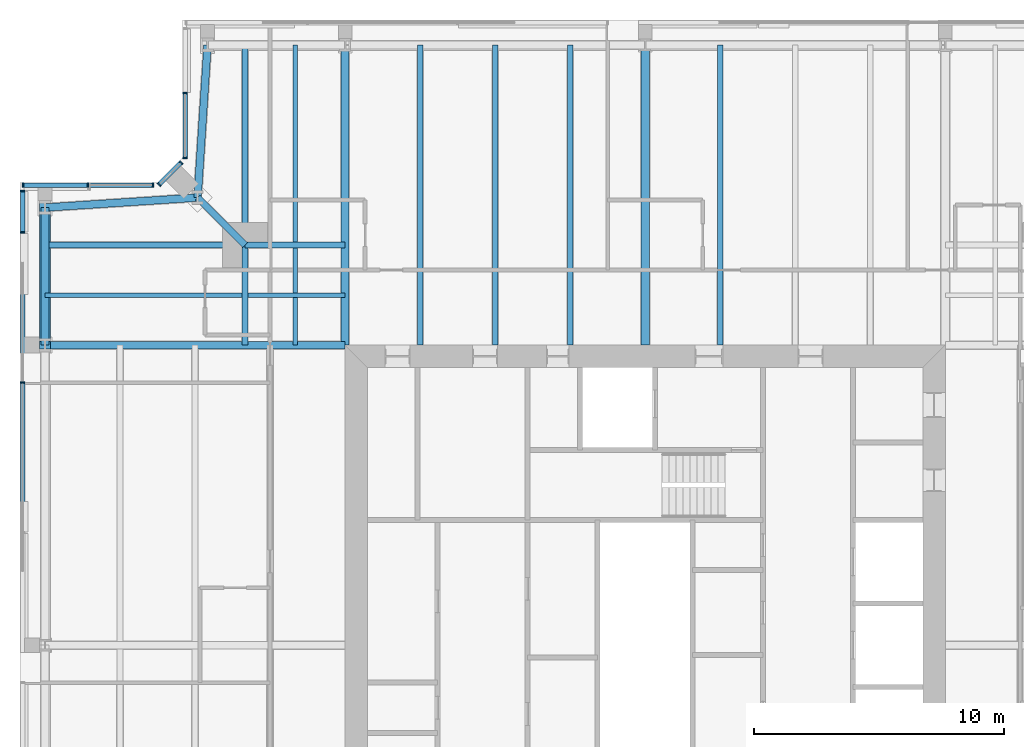
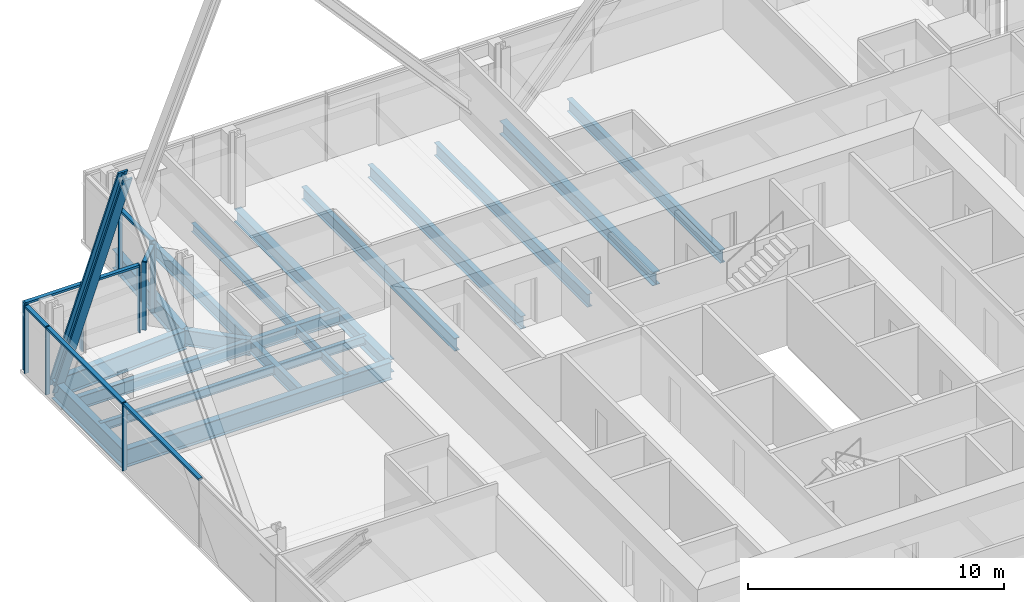
# One storey, part 7 of 19: 20 beams, 18 members, 4 elements without a shape of their own.
"""IFC4 building model written with IfcOpenShell, lengths in metres."""

from ifc_helpers import new_model, si_unit, direction, frame, origin, origin_2d, place, context, subcontext, project, spatial, rectangle, i_section, extrude, material, material_profile, profile_set, type_object, element, aggregate, save


model = new_model("IFC4")

# Units and contexts
model_context = context("Model", 3, precision=1e-05, world=origin(), true_north=direction((0.0, 1.0)))
body_context = subcontext(model_context, "Body", "Model", "MODEL_VIEW")
ifc_project = project(units=[si_unit("LENGTHUNIT", "METRE"), si_unit("AREAUNIT", "SQUARE_METRE"), si_unit("VOLUMEUNIT", "CUBIC_METRE"), si_unit("PLANEANGLEUNIT", "RADIAN"), si_unit("MASSUNIT", "GRAM", prefix="KILO")], contexts=[model_context])

# Site, building, storey
site_placement = place(None, origin())
site = spatial("IfcSite", under=ifc_project, at=site_placement, CompositionType="ELEMENT")
building_placement = place(site_placement, origin())
building = spatial("IfcBuilding", under=site, at=building_placement, Name="Fenwick Lantern Interchange", CompositionType="ELEMENT")
storey_placement = place(building_placement, frame((0.0, 0.0, 283.199951171875)))
storey = spatial("IfcBuildingStorey", under=building, at=storey_placement, Name="L68", CompositionType="ELEMENT", Elevation=283.199951171875)

# Beams
ifc_material_1 = material(Name="Steel ASTM A992 Grade 50", Category="steel")
ifc_material_profile_1 = material_profile(ifc_material_1, i_section(OverallWidth=0.3046875, OverallDepth=0.911865234375, WebThickness=0.015869140625, FlangeThickness=0.02392578125, at=origin_2d()), Name="W36X150")
ifc_profile_set_1 = profile_set([ifc_material_profile_1], Name="Steel ASTM A992 Grade 50")
beam_type_1 = type_object("IfcBeamType", Name="EDGE BEAM W36X150", PredefinedType="SPANDREL", material=ifc_profile_set_1)
for number, where, z_axis, x_axis, name in (
    (1, (7.5, 49.0, -0.60595703125), (-0.065416293237, -0.997858060337, 0.0), (0.997858060337, -0.065416293237, 0.0), "L68/FR/N/EBR1"),
    (2, (7.10009765625, 42.89990234375, -0.60595703125), (-0.997858060337, -0.065416293237, 0.0), (0.065416293237, -0.997858060337, 0.0), "L68/FR/N/EBR2"),
):
    element("IfcBeam", number, at=place(storey_placement, frame(where, z_axis=z_axis, x_axis=x_axis)), inside=storey, type_object=beam_type_1, Name=name, PredefinedType="SPANDREL", context=body_context, shape_type="SweptSolid", body=[
        extrude(i_section(OverallWidth=0.3046875, OverallDepth=0.911865234375, WebThickness=0.015869140625, FlangeThickness=0.02392578125, at=origin_2d()), origin(), (0.0, 0.0, 1.0), 6.11328125),
    ])
beam_1_placement = place(storey_placement, frame((1.0, 42.5, -0.60595703125), z_axis=(0.0, -1.0, 0.0), x_axis=(1.0, 0.0, 0.0)))
element("IfcBeam", 3, at=beam_1_placement, inside=storey, type_object=beam_type_1, Name="L68/FR/W/EB1", PredefinedType="SPANDREL", context=body_context, shape_type="SweptSolid", body=[
    extrude(i_section(OverallWidth=0.3046875, OverallDepth=0.911865234375, WebThickness=0.015869140625, FlangeThickness=0.02392578125, at=origin_2d()), origin(), (0.0, 0.0, 1.0), 5.5),
])

# Member
ifc_material_profile_2 = material_profile(ifc_material_1, i_section(OverallWidth=0.424072265625, OverallDepth=0.47509765625, WebThickness=0.0478515625, FlangeThickness=0.0771484375, at=origin_2d()), Name="W14X426")
ifc_profile_set_2 = profile_set([ifc_material_profile_2], Name="Steel ASTM A992 Grade 50")
member_type_1 = type_object("IfcMemberType", Name="FACADE BRACE W14X426", PredefinedType="BRACE", material=ifc_profile_set_2)
member_1_placement = place(storey_placement, frame((1.0, 42.5, -0.60595703125), z_axis=(0.0, -0.377648302155, 0.925949113008), x_axis=(1.0, 0.0, 0.0)))
element("IfcMember", 4, at=member_1_placement, inside=storey, type_object=member_type_1, Name="L68/FB/W/AE", PredefinedType="BRACE", context=body_context, shape_type="SweptSolid", body=[
    extrude(i_section(OverallWidth=0.424072265625, OverallDepth=0.47509765625, WebThickness=0.0478515625, FlangeThickness=0.0771484375, at=origin_2d()), origin(), (0.0, 0.0, 1.0), 14.563720703125),
])

# Beams
ifc_material_profile_3 = material_profile(ifc_material_1, i_section(OverallWidth=0.22900390625, OverallDepth=0.612060546875, WebThickness=0.011962890625, FlangeThickness=0.01953125, at=origin_2d()), Name="W24X84")
ifc_profile_set_3 = profile_set([ifc_material_profile_3], Name="Steel ASTM A992 Grade 50")
beam_type_2 = type_object("IfcBeamType", Name="FLOOR BEAM W24X84", PredefinedType="BEAM", material=ifc_profile_set_3)
for number, where, z_axis, x_axis, name in (
    (5, (28.0, 49.0, -0.4560546875), (0.0, -1.0, 0.0), (1.0, 0.0, 0.0), "L68/FR/N/R04"),
    (6, (22.0, 49.0, -0.4560546875), (0.0, -1.0, 0.0), (1.0, 0.0, 0.0), "L68/FR/N/R06"),
    (7, (19.0, 49.0, -0.4560546875), (0.0, -1.0, 0.0), (1.0, 0.0, 0.0), "L68/FR/N/R07"),
    (8, (16.0, 49.0, -0.4560546875), (0.0, -1.0, 0.0), (1.0, 0.0, 0.0), "L68/FR/N/R08"),
):
    element("IfcBeam", number, at=place(storey_placement, frame(where, z_axis=z_axis, x_axis=x_axis)), inside=storey, type_object=beam_type_2, Name=name, PredefinedType="BEAM", context=body_context, shape_type="SweptSolid", body=[
        extrude(i_section(OverallWidth=0.22900390625, OverallDepth=0.612060546875, WebThickness=0.011962890625, FlangeThickness=0.01953125, at=origin_2d()), origin(), (0.0, 0.0, 1.0), 12.0),
    ])

# Curtain wall, members
ifc_material_2 = material(Name="Aluminium curtain wall frame", Category="aluminium")
curtain_wall_type = type_object("IfcCurtainWallType", Name="HOTEL CURTAIN WALL", PredefinedType="USERDEFINED", material=ifc_material_2)
curtain_wall_1_placement = place(storey_placement, origin())
curtain_wall_1 = element("IfcCurtainWall", 9, at=curtain_wall_1_placement, inside=storey, type_object=curtain_wall_type, Name="Hotel curtain wall 10", ObjectType="HOTEL CURTAIN WALL", PredefinedType="USERDEFINED")
ifc_material_3 = material(Name="Aluminium extrusion", Category="aluminium")
ifc_material_profile_4 = material_profile(ifc_material_3, rectangle(XDim=0.179931640625, YDim=0.06005859375, at=origin_2d()), Name="HOTEL CURTAIN WALL MULLION 60 X 180")
ifc_profile_set_4 = profile_set([ifc_material_profile_4], Name="Aluminium extrusion")
member_type_2 = type_object("IfcMemberType", Name="HOTEL CURTAIN WALL MULLION 60 X 180", PredefinedType="MULLION", material=ifc_profile_set_4)
member_2_placement = place(storey_placement, frame((6.60009765625, 47.079345703125, 0.0), z_axis=(0.0, 0.0, 1.0), x_axis=(1.0, 0.0, 0.0)))
member_2 = element("IfcMember", 10, at=member_2_placement, type_object=member_type_2, Name="L68/CW/10/M01", PredefinedType="MULLION", context=body_context, shape_type="SweptSolid", body=[
    extrude(rectangle(XDim=0.179931640625, YDim=0.06005859375, at=origin_2d()), origin(), (0.0, 0.0, 1.0), 3.25),
])
member_3_placement = place(storey_placement, frame((6.60009765625, 44.488525390625, 0.0), z_axis=(0.0, 0.0, 1.0), x_axis=(1.0, 0.0, 0.0)))
member_3 = element("IfcMember", 11, at=member_3_placement, type_object=member_type_2, Name="L68/CW/10/M02", PredefinedType="MULLION", context=body_context, shape_type="SweptSolid", body=[
    extrude(rectangle(XDim=0.179931640625, YDim=0.06005859375, at=origin_2d()), origin(), (0.0, 0.0, 1.0), 3.25),
])

curtain_wall_2_placement = place(storey_placement, origin())
curtain_wall_2 = element("IfcCurtainWall", 12, at=curtain_wall_2_placement, inside=storey, type_object=curtain_wall_type, Name="Hotel curtain wall 11", ObjectType="HOTEL CURTAIN WALL", PredefinedType="USERDEFINED")
member_4_placement = place(storey_placement, frame((6.437255859375, 44.2958984375, 0.0), z_axis=(0.0, 0.0, 1.0), x_axis=(0.707106781187, -0.707106781187, 0.0)))
member_4 = element("IfcMember", 13, at=member_4_placement, type_object=member_type_2, Name="L68/CW/11/M00", PredefinedType="MULLION", context=body_context, shape_type="SweptSolid", body=[
    extrude(rectangle(XDim=0.179931640625, YDim=0.06005859375, at=origin_2d()), origin(), (0.0, 0.0, 1.0), 3.25),
])
member_5_placement = place(storey_placement, frame((5.562744140625, 43.421142578125, 0.0), z_axis=(0.0, 0.0, 1.0), x_axis=(0.707106781187, -0.707106781187, 0.0)))
member_5 = element("IfcMember", 14, at=member_5_placement, type_object=member_type_2, Name="L68/CW/11/M01", PredefinedType="MULLION", context=body_context, shape_type="SweptSolid", body=[
    extrude(rectangle(XDim=0.179931640625, YDim=0.06005859375, at=origin_2d()), origin(), (0.0, 0.0, 1.0), 3.25),
])

curtain_wall_3_placement = place(storey_placement, origin())
curtain_wall_3 = element("IfcCurtainWall", 15, at=curtain_wall_3_placement, inside=storey, type_object=curtain_wall_type, Name="Hotel curtain wall 12", ObjectType="HOTEL CURTAIN WALL", PredefinedType="USERDEFINED")
member_6_placement = place(storey_placement, frame((5.3115234375, 43.39990234375, 0.0), z_axis=(0.0, 0.0, 1.0), x_axis=(0.0, -1.0, 0.0)))
member_6 = element("IfcMember", 16, at=member_6_placement, type_object=member_type_2, Name="L68/CW/12/M00", PredefinedType="MULLION", context=body_context, shape_type="SweptSolid", body=[
    extrude(rectangle(XDim=0.179931640625, YDim=0.06005859375, at=origin_2d()), origin(), (0.0, 0.0, 1.0), 3.25),
])
member_7_placement = place(storey_placement, frame((2.720703125, 43.39990234375, 0.0), z_axis=(0.0, 0.0, 1.0), x_axis=(0.0, -1.0, 0.0)))
member_7 = element("IfcMember", 17, at=member_7_placement, type_object=member_type_2, Name="L68/CW/12/M01", PredefinedType="MULLION", context=body_context, shape_type="SweptSolid", body=[
    extrude(rectangle(XDim=0.179931640625, YDim=0.06005859375, at=origin_2d()), origin(), (0.0, 0.0, 1.0), 3.25),
])
member_8_placement = place(storey_placement, frame((0.1298828125, 43.39990234375, 0.0), z_axis=(0.0, 0.0, 1.0), x_axis=(0.0, -1.0, 0.0)))
member_8 = element("IfcMember", 18, at=member_8_placement, type_object=member_type_2, Name="L68/CW/12/M02", PredefinedType="MULLION", context=body_context, shape_type="SweptSolid", body=[
    extrude(rectangle(XDim=0.179931640625, YDim=0.06005859375, at=origin_2d()), origin(), (0.0, 0.0, 1.0), 3.25),
])

curtain_wall_4_placement = place(storey_placement, origin())
curtain_wall_4 = element("IfcCurtainWall", 19, at=curtain_wall_4_placement, inside=storey, type_object=curtain_wall_type, Name="Hotel curtain wall 13", ObjectType="HOTEL CURTAIN WALL", PredefinedType="USERDEFINED")
member_9_placement = place(storey_placement, frame((0.10009765625, 43.169921875, 0.0), z_axis=(0.0, 0.0, 1.0), x_axis=(1.0, 0.0, 0.0)))
member_9 = element("IfcMember", 20, at=member_9_placement, type_object=member_type_2, Name="L68/CW/13/M00", PredefinedType="MULLION", context=body_context, shape_type="SweptSolid", body=[
    extrude(rectangle(XDim=0.179931640625, YDim=0.06005859375, at=origin_2d()), origin(), (0.0, 0.0, 1.0), 3.25),
])
member_10_placement = place(storey_placement, frame((0.10009765625, 41.5, 0.0), z_axis=(0.0, 0.0, 1.0), x_axis=(1.0, 0.0, 0.0)))
member_10 = element("IfcMember", 21, at=member_10_placement, type_object=member_type_2, Name="L68/CW/13/M01", PredefinedType="MULLION", context=body_context, shape_type="SweptSolid", body=[
    extrude(rectangle(XDim=0.179931640625, YDim=0.06005859375, at=origin_2d()), origin(), (0.0, 0.0, 1.0), 3.25),
])
member_11_placement = place(storey_placement, frame((0.10009765625, 35.5, 0.0), z_axis=(0.0, 0.0, 1.0), x_axis=(1.0, 0.0, 0.0)))
member_11 = element("IfcMember", 22, at=member_11_placement, type_object=member_type_2, Name="L68/CW/13/M02", PredefinedType="MULLION", context=body_context, shape_type="SweptSolid", body=[
    extrude(rectangle(XDim=0.179931640625, YDim=0.06005859375, at=origin_2d()), origin(), (0.0, 0.0, 1.0), 3.25),
])

# Member
ifc_material_profile_5 = material_profile(ifc_material_3, rectangle(XDim=0.179931640625, YDim=0.10009765625, at=origin_2d()), Name="HOTEL CURTAIN WALL TRANSOM 100 X 180")
ifc_profile_set_5 = profile_set([ifc_material_profile_5], Name="Aluminium extrusion")
member_type_3 = type_object("IfcMemberType", Name="HOTEL CURTAIN WALL TRANSOM 100 X 180", PredefinedType="MULLION", material=ifc_profile_set_5)
member_12_placement = place(storey_placement, frame((6.60009765625, 47.04931640625, 3.199951171875), z_axis=(0.0, -1.0, 0.0), x_axis=(1.0, 0.0, 0.0)))
member_12 = element("IfcMember", 23, at=member_12_placement, type_object=member_type_3, Name="L68/CW/10/T01", PredefinedType="MULLION", context=body_context, shape_type="SweptSolid", body=[
    extrude(rectangle(XDim=0.179931640625, YDim=0.10009765625, at=origin_2d()), origin(), (0.0, 0.0, 1.0), 2.53076171875),
])

aggregate(curtain_wall_1, [member_2, member_3, member_12])

member_13_placement = place(storey_placement, frame((6.416259765625, 44.274658203125, 3.199951171875), z_axis=(-0.707210470133, -0.707003077033, 0.0), x_axis=(0.707003077033, -0.707210470133, 0.0)))
member_13 = element("IfcMember", 24, at=member_13_placement, type_object=member_type_3, Name="L68/CW/11/T00", PredefinedType="MULLION", context=body_context, shape_type="SweptSolid", body=[
    extrude(rectangle(XDim=0.179931640625, YDim=0.10009765625, at=origin_2d()), origin(), (0.0, 0.0, 1.0), 1.17724609375),
])

aggregate(curtain_wall_2, [member_4, member_5, member_13])

member_14_placement = place(storey_placement, frame((5.281494140625, 43.39990234375, 3.199951171875), z_axis=(-1.0, 0.0, 0.0), x_axis=(0.0, -1.0, 0.0)))
member_14 = element("IfcMember", 25, at=member_14_placement, type_object=member_type_3, Name="L68/CW/12/T00", PredefinedType="MULLION", context=body_context, shape_type="SweptSolid", body=[
    extrude(rectangle(XDim=0.179931640625, YDim=0.10009765625, at=origin_2d()), origin(), (0.0, 0.0, 1.0), 2.53076171875),
])

member_15_placement = place(storey_placement, frame((2.690673828125, 43.39990234375, 3.199951171875), z_axis=(-1.0, 0.0, 0.0), x_axis=(0.0, -1.0, 0.0)))
member_15 = element("IfcMember", 26, at=member_15_placement, type_object=member_type_3, Name="L68/CW/12/T01", PredefinedType="MULLION", context=body_context, shape_type="SweptSolid", body=[
    extrude(rectangle(XDim=0.179931640625, YDim=0.10009765625, at=origin_2d()), origin(), (0.0, 0.0, 1.0), 2.53076171875),
])

aggregate(curtain_wall_3, [member_6, member_7, member_8, member_14, member_15])

member_16_placement = place(storey_placement, frame((0.10009765625, 43.139892578125, 3.199951171875), z_axis=(0.0, -1.0, 0.0), x_axis=(1.0, 0.0, 0.0)))
member_16 = element("IfcMember", 27, at=member_16_placement, type_object=member_type_3, Name="L68/CW/13/T00", PredefinedType="MULLION", context=body_context, shape_type="SweptSolid", body=[
    extrude(rectangle(XDim=0.179931640625, YDim=0.10009765625, at=origin_2d()), origin(), (0.0, 0.0, 1.0), 1.60986328125),
])

member_17_placement = place(storey_placement, frame((0.10009765625, 41.469970703125, 3.199951171875), z_axis=(0.0, -1.0, 0.0), x_axis=(1.0, 0.0, 0.0)))
member_17 = element("IfcMember", 28, at=member_17_placement, type_object=member_type_3, Name="L68/CW/13/T01", PredefinedType="MULLION", context=body_context, shape_type="SweptSolid", body=[
    extrude(rectangle(XDim=0.179931640625, YDim=0.10009765625, at=origin_2d()), origin(), (0.0, 0.0, 1.0), 5.93994140625),
])

member_18_placement = place(storey_placement, frame((0.10009765625, 35.469970703125, 3.199951171875), z_axis=(0.0, -1.0, 0.0), x_axis=(1.0, 0.0, 0.0)))
member_18 = element("IfcMember", 29, at=member_18_placement, type_object=member_type_3, Name="L68/CW/13/T02", PredefinedType="MULLION", context=body_context, shape_type="SweptSolid", body=[
    extrude(rectangle(XDim=0.179931640625, YDim=0.10009765625, at=origin_2d()), origin(), (0.0, 0.0, 1.0), 5.93994140625),
])

aggregate(curtain_wall_4, [member_9, member_10, member_11, member_16, member_17, member_18])

# Beams
ifc_material_profile_6 = material_profile(ifc_material_1, i_section(OverallWidth=0.177734375, OverallDepth=0.406494140625, WebThickness=0.0078125, FlangeThickness=0.012939453125, at=origin_2d()), Name="W16X40")
ifc_profile_set_6 = profile_set([ifc_material_profile_6], Name="Steel ASTM A992 Grade 50")
beam_type_3 = type_object("IfcBeamType", Name="INFILL BEAM W16X40", PredefinedType="JOIST", material=ifc_profile_set_6)
beam_2_placement = place(storey_placement, frame((1.0, 39.0, -0.353271484375), z_axis=(1.0, 0.0, 0.0), x_axis=(0.0, 1.0, 0.0)))
element("IfcBeam", 30, at=beam_2_placement, inside=storey, type_object=beam_type_3, Name="L68/FR/W/J1", PredefinedType="JOIST", context=body_context, shape_type="SweptSolid", body=[
    extrude(i_section(OverallWidth=0.177734375, OverallDepth=0.406494140625, WebThickness=0.0078125, FlangeThickness=0.012939453125, at=origin_2d()), origin(), (0.0, 0.0, 1.0), 7.885498046875),
])
beam_3_placement = place(storey_placement, frame((9.114501953125, 39.0, -0.353271484375), z_axis=(1.0, 0.0, 0.0), x_axis=(0.0, 1.0, 0.0)))
element("IfcBeam", 31, at=beam_3_placement, inside=storey, type_object=beam_type_3, Name="L68/FR/W/J2", PredefinedType="JOIST", context=body_context, shape_type="SweptSolid", body=[
    extrude(i_section(OverallWidth=0.177734375, OverallDepth=0.406494140625, WebThickness=0.0078125, FlangeThickness=0.012939453125, at=origin_2d()), origin(), (0.0, 0.0, 1.0), 3.885498046875),
])
beam_4_placement = place(storey_placement, frame((11.0, 49.0, -0.353271484375), z_axis=(0.0, -1.0, 0.0), x_axis=(1.0, 0.0, 0.0)))
element("IfcBeam", 32, at=beam_4_placement, inside=storey, type_object=beam_type_3, Name="L68/FR/W/J3", PredefinedType="JOIST", context=body_context, shape_type="SweptSolid", body=[
    extrude(i_section(OverallWidth=0.177734375, OverallDepth=0.406494140625, WebThickness=0.0078125, FlangeThickness=0.012939453125, at=origin_2d()), origin(), (0.0, 0.0, 1.0), 7.885498046875),
])
beam_5_placement = place(storey_placement, frame((11.0, 40.885498046875, -0.353271484375), z_axis=(0.0, -1.0, 0.0), x_axis=(1.0, 0.0, 0.0)))
element("IfcBeam", 33, at=beam_5_placement, inside=storey, type_object=beam_type_3, Name="L68/FR/W/J4", PredefinedType="JOIST", context=body_context, shape_type="SweptSolid", body=[
    extrude(i_section(OverallWidth=0.177734375, OverallDepth=0.406494140625, WebThickness=0.0078125, FlangeThickness=0.012939453125, at=origin_2d()), origin(), (0.0, 0.0, 1.0), 1.796630859375),
])
beam_6_placement = place(storey_placement, frame((11.0, 38.9111328125, -0.353271484375), z_axis=(0.0, -1.0, 0.0), x_axis=(1.0, 0.0, 0.0)))
element("IfcBeam", 34, at=beam_6_placement, inside=storey, type_object=beam_type_3, Name="L68/FR/W/J5", PredefinedType="JOIST", context=body_context, shape_type="SweptSolid", body=[
    extrude(i_section(OverallWidth=0.177734375, OverallDepth=0.406494140625, WebThickness=0.0078125, FlangeThickness=0.012939453125, at=origin_2d()), origin(), (0.0, 0.0, 1.0), 1.9111328125),
])
ifc_material_profile_7 = material_profile(ifc_material_1, i_section(OverallWidth=0.22900390625, OverallDepth=0.612060546875, WebThickness=0.011962890625, FlangeThickness=0.01953125, at=origin_2d()), Name="W24X84")
ifc_profile_set_7 = profile_set([ifc_material_profile_7], Name="Steel ASTM A992 Grade 50")
beam_type_4 = type_object("IfcBeamType", Name="MEGA COLUMN BEAM W24X84", PredefinedType="BEAM", material=ifc_profile_set_7)
for number, where, z_axis, x_axis, name in (
    (35, (9.0, 41.0, -0.4560546875), (-1.0, 0.0, 0.0), (0.0, -1.0, 0.0), "L68/FR/W/MB1"),
    (36, (9.0, 41.0, -0.4560546875), (0.0, 1.0, 0.0), (-1.0, 0.0, 0.0), "L68/FR/W/MB2"),
):
    element("IfcBeam", number, at=place(storey_placement, frame(where, z_axis=z_axis, x_axis=x_axis)), inside=storey, type_object=beam_type_4, Name=name, PredefinedType="BEAM", context=body_context, shape_type="SweptSolid", body=[
        extrude(i_section(OverallWidth=0.22900390625, OverallDepth=0.612060546875, WebThickness=0.011962890625, FlangeThickness=0.01953125, at=origin_2d()), origin(), (0.0, 0.0, 1.0), 8.0),
    ])
for number, where, z_axis, x_axis, name in (
    (37, (9.0, 41.0, -0.4560546875), (0.0, -1.0, 0.0), (1.0, 0.0, 0.0), "L68/FR/W/MB3"),
    (38, (9.0, 41.0, -0.4560546875), (1.0, 0.0, 0.0), (0.0, 1.0, 0.0), "L68/FR/W/MB4"),
):
    element("IfcBeam", number, at=place(storey_placement, frame(where, z_axis=z_axis, x_axis=x_axis)), inside=storey, type_object=beam_type_4, Name=name, PredefinedType="BEAM", context=body_context, shape_type="SweptSolid", body=[
        extrude(i_section(OverallWidth=0.22900390625, OverallDepth=0.612060546875, WebThickness=0.011962890625, FlangeThickness=0.01953125, at=origin_2d()), origin(), (0.0, 0.0, 1.0), 4.0),
    ])
ifc_material_profile_8 = material_profile(ifc_material_1, i_section(OverallWidth=0.32763671875, OverallDepth=0.622314453125, WebThickness=0.015380859375, FlangeThickness=0.0244140625, at=origin_2d()), Name="W24X131")
ifc_profile_set_8 = profile_set([ifc_material_profile_8], Name="Steel ASTM A992 Grade 50")
beam_type_5 = type_object("IfcBeamType", Name="MOMENT-CONNECTED GIRDER W24X131", PredefinedType="BEAM", material=ifc_profile_set_8)
for number, where, z_axis, x_axis, name in (
    (39, (25.0, 49.0, -0.461181640625), (0.0, -1.0, 0.0), (1.0, 0.0, 0.0), "L68/FR/N/R05"),
    (40, (13.0, 49.0, -0.461181640625), (0.0, -1.0, 0.0), (1.0, 0.0, 0.0), "L68/FR/N/R09"),
):
    element("IfcBeam", number, at=place(storey_placement, frame(where, z_axis=z_axis, x_axis=x_axis)), inside=storey, type_object=beam_type_5, Name=name, PredefinedType="BEAM", context=body_context, shape_type="SweptSolid", body=[
        extrude(i_section(OverallWidth=0.32763671875, OverallDepth=0.622314453125, WebThickness=0.015380859375, FlangeThickness=0.0244140625, at=origin_2d()), origin(), (0.0, 0.0, 1.0), 12.0),
    ])
ifc_material_profile_9 = material_profile(ifc_material_1, i_section(OverallWidth=0.2919921875, OverallDepth=0.845703125, WebThickness=0.015380859375, FlangeThickness=0.0244140625, at=origin_2d()), Name="W33X141")
ifc_profile_set_9 = profile_set([ifc_material_profile_9], Name="Steel ASTM A992 Grade 50")
beam_type_6 = type_object("IfcBeamType", Name="MOMENT-CONNECTED GIRDER W33X141", PredefinedType="BEAM", material=ifc_profile_set_9)
beam_7_placement = place(storey_placement, frame((1.0, 37.0, -0.57275390625), z_axis=(1.0, 0.0, 0.0), x_axis=(0.0, 1.0, 0.0)))
element("IfcBeam", 41, at=beam_7_placement, inside=storey, type_object=beam_type_6, Name="L68/FR/W/R01", PredefinedType="BEAM", context=body_context, shape_type="SweptSolid", body=[
    extrude(i_section(OverallWidth=0.2919921875, OverallDepth=0.845703125, WebThickness=0.015380859375, FlangeThickness=0.0244140625, at=origin_2d()), origin(), (0.0, 0.0, 1.0), 12.0),
])
ifc_material_profile_10 = material_profile(ifc_material_1, i_section(OverallWidth=0.2666015625, OverallDepth=0.7568359375, WebThickness=0.013916015625, FlangeThickness=0.019287109375, at=origin_2d()), Name="W30X108")
ifc_profile_set_10 = profile_set([ifc_material_profile_10], Name="Steel ASTM A992 Grade 50")
beam_type_7 = type_object("IfcBeamType", Name="NOTCH BEAM W30X108", PredefinedType="BEAM", material=ifc_profile_set_10)
beam_8_placement = place(storey_placement, frame((9.0, 41.0, -0.5283203125), z_axis=(-0.707106781187, 0.707106781187, 0.0), x_axis=(-0.707106781187, -0.707106781187, 0.0)))
element("IfcBeam", 42, at=beam_8_placement, inside=storey, type_object=beam_type_7, Name="L68/FR/W/TG", PredefinedType="BEAM", context=body_context, shape_type="SweptSolid", body=[
    extrude(i_section(OverallWidth=0.2666015625, OverallDepth=0.7568359375, WebThickness=0.013916015625, FlangeThickness=0.019287109375, at=origin_2d()), origin(), (0.0, 0.0, 1.0), 2.686767578125),
])

save(model, "model.ifc")
